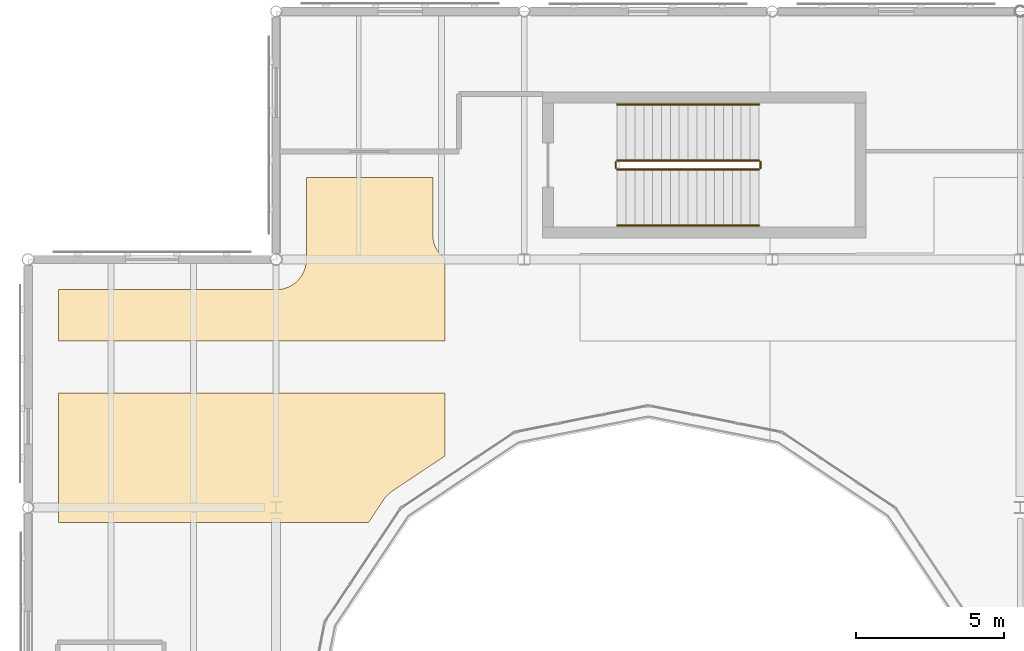
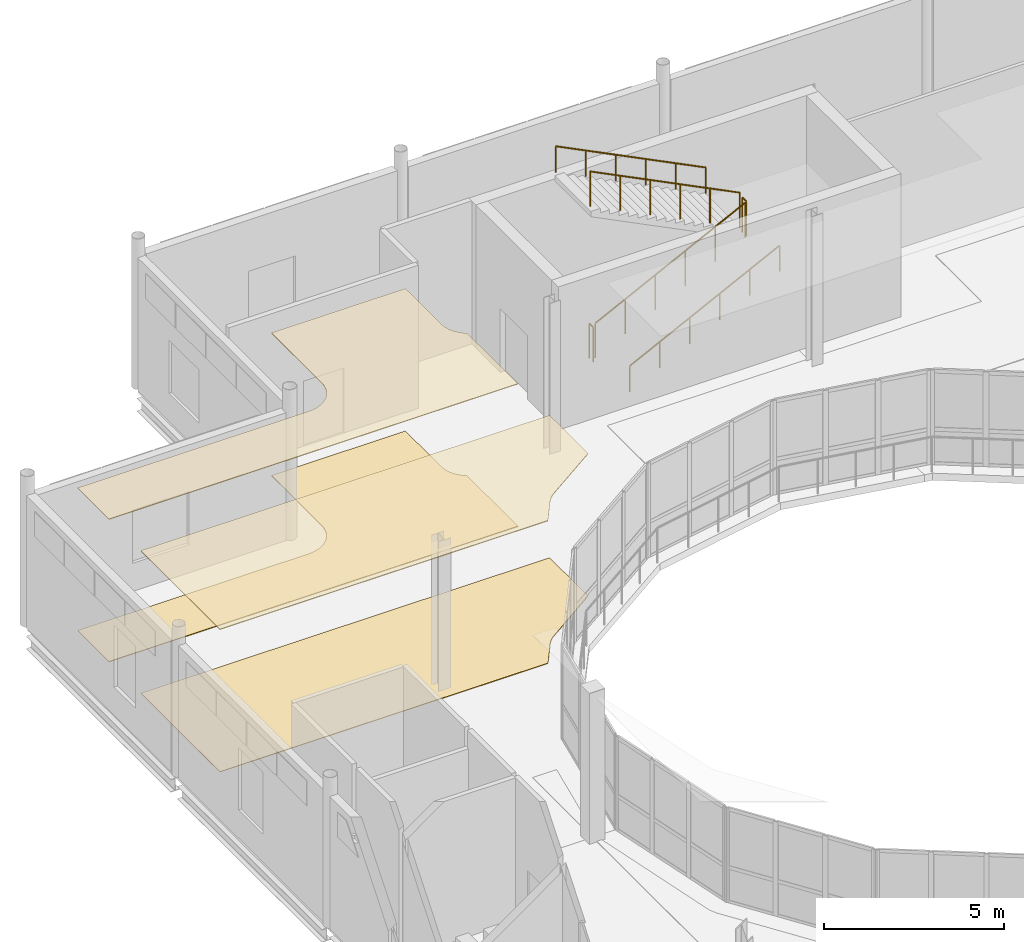
# One storey, part 96 of 104: 6 railings, 4 coverings.
"""IFC4 building model written with IfcOpenShell, lengths in metres."""

from ifc_helpers import new_model, si_unit, direction, frame, origin, origin_2d, place, context, subcontext, project, spatial, polyline, circle, outline, extrude, material, layer, layer_set, type_object, element, save


model = new_model("IFC4")

# Units and contexts
model_context = context("Model", 3, precision=1e-05, world=origin(), true_north=direction((0.0, 1.0)))
body_context = subcontext(model_context, "Body", "Model", "MODEL_VIEW")
ifc_project = project(units=[si_unit("LENGTHUNIT", "METRE"), si_unit("AREAUNIT", "SQUARE_METRE"), si_unit("VOLUMEUNIT", "CUBIC_METRE"), si_unit("PLANEANGLEUNIT", "RADIAN"), si_unit("MASSUNIT", "GRAM", prefix="KILO"), si_unit("THERMODYNAMICTEMPERATUREUNIT", "KELVIN")], contexts=[model_context])

# Site, building, storey
site_placement = place(None, origin())
site = spatial("IfcSite", under=ifc_project, at=site_placement, CompositionType="ELEMENT")
building_placement = place(site_placement, origin())
building = spatial("IfcBuilding", under=site, at=building_placement, Name="Lustrewick Department Store", CompositionType="ELEMENT")
storey_placement = place(building_placement, frame((0.0, 0.0, 11.39990234375)))
storey = spatial("IfcBuildingStorey", under=building, at=storey_placement, Name="L03", CompositionType="ELEMENT", Elevation=11.39990234375)

# Coverings
ifc_material_1 = material(Name="Perforated mineral-fibre acoustic ceiling board", Category="gypsum")
ifc_layer_1 = layer(ifc_material_1, 0.02490234375, Name="Perforated mineral-fibre acoustic ceiling board")
ifc_layer_set_1 = layer_set([ifc_layer_1], Name="Perforated mineral-fibre acoustic ceiling board")
covering_type_1 = type_object("IfcCoveringType", Name="COV-CEIL", PredefinedType="CEILING", material=ifc_layer_set_1)
covering_1_placement = place(storey_placement, frame((0.0, 0.0, 4.820068359375)))
element("IfcCovering", 1, at=covering_1_placement, inside=storey, type_object=covering_type_1, Name="L03 V1 Merchandise Display Alcove 1 Acoustic Ceiling", PredefinedType="CEILING", context=body_context, shape_type="SweptSolid", body=[
    extrude(outline(polyline([(9.419921875, 75.090087890625), (19.92578125, 75.090087890625), (20.44140625, 75.86181640625), (20.46484375, 75.89501953125), (20.478515625, 75.9130859375), (20.5322265625, 75.978759765625), (20.548095703125, 75.99609375), (20.603759765625, 76.052001953125), (20.62109375, 76.067626953125), (20.686767578125, 76.12158203125), (20.705078125, 76.135009765625), (20.73828125, 76.158447265625), (22.510009765625, 77.34228515625), (22.510009765625, 79.4765625), (9.419921875, 79.4765625), (9.419921875, 75.090087890625)])), origin(), (0.0, 0.0, 1.0), 0.025146484375),
])
covering_2_placement = place(storey_placement, frame((0.0, 0.0, 4.820068359375)))
element("IfcCovering", 2, at=covering_2_placement, inside=storey, type_object=covering_type_1, Name="L03 V1 Merchandise Display Alcove 2 Acoustic Ceiling", PredefinedType="CEILING", context=body_context, shape_type="SweptSolid", body=[
    extrude(outline(polyline([(16.843994140625, 82.981201171875), (16.801025390625, 82.97998046875), (9.419921875, 82.97998046875), (9.419921875, 81.236572265625), (22.510009765625, 81.236572265625), (22.510009765625, 84.05712890625), (22.504150390625, 84.060791015625), (22.446044921875, 84.103515625), (22.44140625, 84.107177734375), (22.37060546875, 84.170654296875), (22.30712890625, 84.241455078125), (22.303466796875, 84.24609375), (22.260986328125, 84.30419921875), (22.223388671875, 84.365478515625), (22.22119140625, 84.369384765625), (22.187744140625, 84.436279296875), (22.185302734375, 84.44140625), (22.154541015625, 84.521484375), (22.1318359375, 84.604248046875), (22.131103515625, 84.607421875), (22.12744140625, 84.625), (22.126708984375, 84.62841796875), (22.1142578125, 84.71240234375), (22.110107421875, 84.797119140625), (22.110107421875, 86.781494140625), (17.820068359375, 86.781494140625), (17.820068359375, 83.9990234375), (17.81884765625, 83.9560546875), (17.818115234375, 83.939453125), (17.810302734375, 83.860107421875), (17.8076171875, 83.8427734375), (17.7919921875, 83.7626953125), (17.78759765625, 83.74560546875), (17.76220703125, 83.662109375), (17.75634765625, 83.6455078125), (17.727294921875, 83.5751953125), (17.7197265625, 83.559326171875), (17.6787109375, 83.482177734375), (17.66943359375, 83.466796875), (17.623046875, 83.397705078125), (17.612548828125, 83.3837890625), (17.56298828125, 83.3232421875), (17.551025390625, 83.31005859375), (17.489990234375, 83.248779296875), (17.476806640625, 83.237060546875), (17.416259765625, 83.1875), (17.402099609375, 83.177001953125), (17.333251953125, 83.130615234375), (17.31787109375, 83.121337890625), (17.24072265625, 83.080322265625), (17.224853515625, 83.07275390625), (17.154541015625, 83.043701171875), (17.1376953125, 83.03759765625), (17.054443359375, 83.012451171875), (17.037353515625, 83.008056640625), (16.957275390625, 82.9921875), (16.93994140625, 82.98974609375), (16.860595703125, 82.98193359375), (16.843994140625, 82.981201171875)])), origin(), (0.0, 0.0, 1.0), 0.025146484375),
])
ifc_material_2 = material(Name="Polished terrazzo and porcelain floor finish", Category="masonry")
ifc_layer_2 = layer(ifc_material_2, 0.02001953125, Name="Polished terrazzo and porcelain floor finish")
ifc_layer_set_2 = layer_set([ifc_layer_2], Name="Polished terrazzo and porcelain floor finish")
covering_type_2 = type_object("IfcCoveringType", Name="COV-FLR", PredefinedType="FLOORING", material=ifc_layer_set_2)
covering_3_placement = place(storey_placement, origin())
element("IfcCovering", 3, at=covering_3_placement, inside=storey, type_object=covering_type_2, Name="L03 V1 Merchandise Display Alcove 1 Terrazzo Flooring", PredefinedType="FLOORING", context=body_context, shape_type="SweptSolid", body=[
    extrude(outline(polyline([(9.419921875, 75.090087890625), (19.92578125, 75.090087890625), (20.44140625, 75.86181640625), (20.46484375, 75.89501953125), (20.478515625, 75.9130859375), (20.5322265625, 75.978759765625), (20.548095703125, 75.99609375), (20.603759765625, 76.052001953125), (20.62109375, 76.067626953125), (20.686767578125, 76.12158203125), (20.705078125, 76.135009765625), (20.73828125, 76.158447265625), (22.510009765625, 77.34228515625), (22.510009765625, 79.4765625), (9.419921875, 79.4765625), (9.419921875, 75.090087890625)])), origin(), (0.0, 0.0, 1.0), 0.02001953125),
])
covering_4_placement = place(storey_placement, origin())
element("IfcCovering", 4, at=covering_4_placement, inside=storey, type_object=covering_type_2, Name="L03 V1 Merchandise Display Alcove 2 Terrazzo Flooring", PredefinedType="FLOORING", context=body_context, shape_type="SweptSolid", body=[
    extrude(outline(polyline([(16.843994140625, 82.981201171875), (16.801025390625, 82.97998046875), (9.419921875, 82.97998046875), (9.419921875, 81.236572265625), (22.510009765625, 81.236572265625), (22.510009765625, 84.05712890625), (22.504150390625, 84.060791015625), (22.446044921875, 84.103515625), (22.44140625, 84.107177734375), (22.37060546875, 84.170654296875), (22.30712890625, 84.241455078125), (22.303466796875, 84.24609375), (22.260986328125, 84.30419921875), (22.223388671875, 84.365478515625), (22.22119140625, 84.369384765625), (22.187744140625, 84.436279296875), (22.185302734375, 84.44140625), (22.154541015625, 84.521484375), (22.1318359375, 84.604248046875), (22.131103515625, 84.607421875), (22.12744140625, 84.625), (22.126708984375, 84.62841796875), (22.1142578125, 84.71240234375), (22.110107421875, 84.797119140625), (22.110107421875, 86.781494140625), (17.820068359375, 86.781494140625), (17.820068359375, 83.9990234375), (17.81884765625, 83.9560546875), (17.818115234375, 83.939453125), (17.810302734375, 83.860107421875), (17.8076171875, 83.8427734375), (17.7919921875, 83.7626953125), (17.78759765625, 83.74560546875), (17.76220703125, 83.662109375), (17.75634765625, 83.6455078125), (17.727294921875, 83.5751953125), (17.7197265625, 83.559326171875), (17.6787109375, 83.482177734375), (17.66943359375, 83.466796875), (17.623046875, 83.397705078125), (17.612548828125, 83.3837890625), (17.56298828125, 83.3232421875), (17.551025390625, 83.31005859375), (17.489990234375, 83.248779296875), (17.476806640625, 83.237060546875), (17.416259765625, 83.1875), (17.402099609375, 83.177001953125), (17.333251953125, 83.130615234375), (17.31787109375, 83.121337890625), (17.24072265625, 83.080322265625), (17.224853515625, 83.07275390625), (17.154541015625, 83.043701171875), (17.1376953125, 83.03759765625), (17.054443359375, 83.012451171875), (17.037353515625, 83.008056640625), (16.957275390625, 82.9921875), (16.93994140625, 82.98974609375), (16.860595703125, 82.98193359375), (16.843994140625, 82.981201171875)])), origin(), (0.0, 0.0, 1.0), 0.02001953125),
])

# Railings
ifc_material_3 = material(Name="Painted tubular steel stairwell guardrail", Category="steel")
railing_type_1 = type_object("IfcRailingType", Name="RL-STG", PredefinedType="GUARDRAIL", material=ifc_material_3)
railing_1_placement = place(storey_placement, frame((28.35009765625, 87.050048828125, 0.150146484375)))
element("IfcRailing", 5, at=railing_1_placement, inside=storey, type_object=railing_type_1, Name="L03 ST03 Stair Guard 1", PredefinedType="GUARDRAIL", context=body_context, shape_type="SweptSolid", body=[
    extrude(circle(Radius=0.02392578125, at=origin_2d()), frame((0.0, 0.0, 1.17578125), z_axis=(0.894427191, 0.0, 0.4472135955), x_axis=(0.0, 1.0, 0.0)), (0.0, 0.0, 1.0), 5.366455078125),
    extrude(circle(Radius=0.02099609375, at=origin_2d()), origin(), (0.0, 0.0, 1.0), 1.15185546875),
    extrude(circle(Radius=0.02099609375, at=origin_2d()), frame((0.9599609375, 0.0, 0.47998046875)), (0.0, 0.0, 1.0), 1.15185546875),
    extrude(circle(Radius=0.02099609375, at=origin_2d()), frame((1.919921875, 0.0, 0.9599609375)), (0.0, 0.0, 1.0), 1.15185546875),
    extrude(circle(Radius=0.02099609375, at=origin_2d()), frame((2.8798828125, 0.0, 1.43994140625)), (0.0, 0.0, 1.0), 1.15185546875),
    extrude(circle(Radius=0.02099609375, at=origin_2d()), frame((3.83984375, 0.0, 1.919921875)), (0.0, 0.0, 1.0), 1.15185546875),
    extrude(circle(Radius=0.02099609375, at=origin_2d()), frame((4.7998046875, 0.0, 2.39990234375)), (0.0, 0.0, 1.0), 1.15185546875),
])
railing_2_placement = place(storey_placement, frame((33.199951171875, 87.10009765625, 2.550048828125)))
element("IfcRailing", 6, at=railing_2_placement, inside=storey, type_object=railing_type_1, Name="L03 ST03 Stair Guard 2", PredefinedType="GUARDRAIL", context=body_context, shape_type="SweptSolid", body=[
    extrude(circle(Radius=0.02392578125, at=origin_2d()), frame((0.0, 0.0, 1.17578125), z_axis=(0.0, 1.0, 0.0), x_axis=(-1.0, 0.0, 0.0)), (0.0, 0.0, 1.0), 0.199951171875),
    extrude(circle(Radius=0.02099609375, at=origin_2d()), origin(), (0.0, 0.0, 1.0), 1.15185546875),
    extrude(circle(Radius=0.02099609375, at=origin_2d()), frame((0.0, 0.199951171875, 0.0)), (0.0, 0.0, 1.0), 1.15185546875),
])
railing_3_placement = place(storey_placement, frame((33.14990234375, 87.35009765625, 2.7001953125)))
element("IfcRailing", 7, at=railing_3_placement, inside=storey, type_object=railing_type_1, Name="L03 ST03 Stair Guard 3", PredefinedType="GUARDRAIL", context=body_context, shape_type="SweptSolid", body=[
    extrude(circle(Radius=0.02392578125, at=origin_2d()), frame((0.0, 0.0, 1.17578125), z_axis=(-0.894427191, 0.0, 0.4472135955), x_axis=(0.0, -1.0, 0.0)), (0.0, 0.0, 1.0), 5.366455078125),
    extrude(circle(Radius=0.02099609375, at=origin_2d()), origin(), (0.0, 0.0, 1.0), 1.15185546875),
    extrude(circle(Radius=0.02099609375, at=origin_2d()), frame((-0.9599609375, 0.0, 0.47998046875)), (0.0, 0.0, 1.0), 1.15185546875),
    extrude(circle(Radius=0.02099609375, at=origin_2d()), frame((-1.919921875, 0.0, 0.9599609375)), (0.0, 0.0, 1.0), 1.15185546875),
    extrude(circle(Radius=0.02099609375, at=origin_2d()), frame((-2.8798828125, 0.0, 1.43994140625)), (0.0, 0.0, 1.0), 1.15185546875),
    extrude(circle(Radius=0.02099609375, at=origin_2d()), frame((-3.83984375, 0.0, 1.919921875)), (0.0, 0.0, 1.0), 1.15185546875),
    extrude(circle(Radius=0.02099609375, at=origin_2d()), frame((-4.7998046875, 0.0, 2.39990234375)), (0.0, 0.0, 1.0), 1.15185546875),
])
railing_4_placement = place(storey_placement, frame((28.300048828125, 87.10009765625, 0.0)))
element("IfcRailing", 8, at=railing_4_placement, inside=storey, type_object=railing_type_1, Name="L03 ST03 Stair Guard 4", PredefinedType="GUARDRAIL", context=body_context, shape_type="SweptSolid", body=[
    extrude(circle(Radius=0.02392578125, at=origin_2d()), frame((0.0, 0.0, 1.17578125), z_axis=(0.0, 1.0, 0.0), x_axis=(-1.0, 0.0, 0.0)), (0.0, 0.0, 1.0), 0.199951171875),
    extrude(circle(Radius=0.02099609375, at=origin_2d()), origin(), (0.0, 0.0, 1.0), 1.15185546875),
    extrude(circle(Radius=0.02099609375, at=origin_2d()), frame((0.0, 0.199951171875, 0.0)), (0.0, 0.0, 1.0), 1.15185546875),
])
ifc_material_4 = material(Name="Brushed stainless steel wall handrail", Category="steel")
railing_type_2 = type_object("IfcRailingType", Name="RL-STH", PredefinedType="HANDRAIL", material=ifc_material_4)
railing_5_placement = place(storey_placement, frame((28.35009765625, 85.14990234375, 0.150146484375)))
element("IfcRailing", 9, at=railing_5_placement, inside=storey, type_object=railing_type_2, Name="L03 ST03 Stair Handrail 1", PredefinedType="HANDRAIL", context=body_context, shape_type="SweptSolid", body=[
    extrude(circle(Radius=0.02392578125, at=origin_2d()), frame((0.0, 0.0, 0.8759765625), z_axis=(0.894427191, 0.0, 0.4472135955), x_axis=(0.0, 1.0, 0.0)), (0.0, 0.0, 1.0), 5.366455078125),
    extrude(circle(Radius=0.02099609375, at=origin_2d()), origin(), (0.0, 0.0, 1.0), 0.851806640625),
    extrude(circle(Radius=0.02099609375, at=origin_2d()), frame((0.9599609375, 0.0, 0.47998046875)), (0.0, 0.0, 1.0), 0.851806640625),
    extrude(circle(Radius=0.02099609375, at=origin_2d()), frame((1.919921875, 0.0, 0.9599609375)), (0.0, 0.0, 1.0), 0.851806640625),
    extrude(circle(Radius=0.02099609375, at=origin_2d()), frame((2.8798828125, 0.0, 1.43994140625)), (0.0, 0.0, 1.0), 0.851806640625),
    extrude(circle(Radius=0.02099609375, at=origin_2d()), frame((3.83984375, 0.0, 1.919921875)), (0.0, 0.0, 1.0), 0.851806640625),
    extrude(circle(Radius=0.02099609375, at=origin_2d()), frame((4.7998046875, 0.0, 2.39990234375)), (0.0, 0.0, 1.0), 0.851806640625),
])
railing_6_placement = place(storey_placement, frame((33.14990234375, 89.25, 2.7001953125)))
element("IfcRailing", 10, at=railing_6_placement, inside=storey, type_object=railing_type_2, Name="L03 ST03 Stair Handrail 2", PredefinedType="HANDRAIL", context=body_context, shape_type="SweptSolid", body=[
    extrude(circle(Radius=0.02392578125, at=origin_2d()), frame((0.0, 0.0, 0.8759765625), z_axis=(-0.894427191, 0.0, 0.4472135955), x_axis=(0.0, -1.0, 0.0)), (0.0, 0.0, 1.0), 5.366455078125),
    extrude(circle(Radius=0.02099609375, at=origin_2d()), origin(), (0.0, 0.0, 1.0), 0.851806640625),
    extrude(circle(Radius=0.02099609375, at=origin_2d()), frame((-0.9599609375, 0.0, 0.47998046875)), (0.0, 0.0, 1.0), 0.851806640625),
    extrude(circle(Radius=0.02099609375, at=origin_2d()), frame((-1.919921875, 0.0, 0.9599609375)), (0.0, 0.0, 1.0), 0.851806640625),
    extrude(circle(Radius=0.02099609375, at=origin_2d()), frame((-2.8798828125, 0.0, 1.43994140625)), (0.0, 0.0, 1.0), 0.851806640625),
    extrude(circle(Radius=0.02099609375, at=origin_2d()), frame((-3.83984375, 0.0, 1.919921875)), (0.0, 0.0, 1.0), 0.851806640625),
    extrude(circle(Radius=0.02099609375, at=origin_2d()), frame((-4.7998046875, 0.0, 2.39990234375)), (0.0, 0.0, 1.0), 0.851806640625),
])

save(model, "model.ifc")
